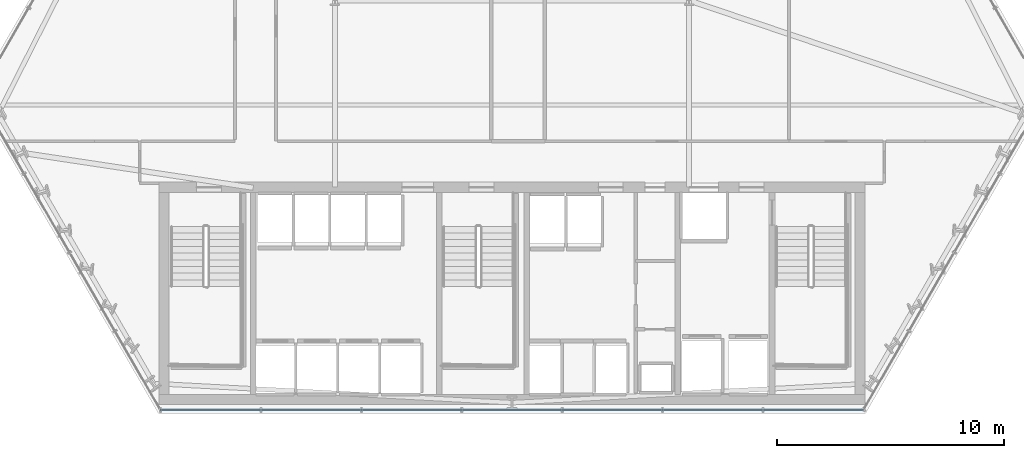
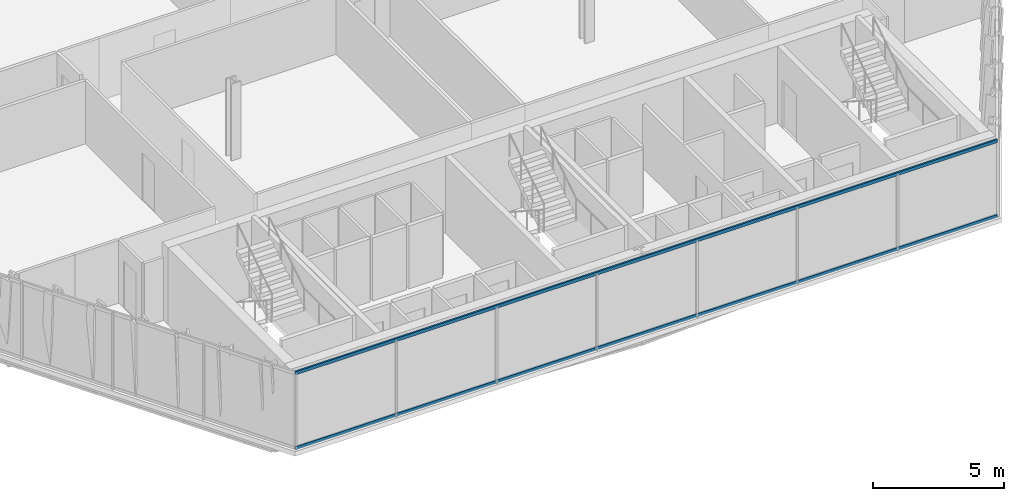
# One storey, part 7 of 32: 2 members, 1 element without a shape of its own.
"""IFC4 building model written with IfcOpenShell, lengths in metres."""

from ifc_helpers import new_model, si_unit, direction, frame, origin, origin_2d, place, context, subcontext, project, spatial, hollow_rectangle, extrude, material, layer, layer_set, material_profile, profile_set, type_object, element, aggregate, save


model = new_model("IFC4")

# Units and contexts
model_context = context("Model", 3, precision=1e-05, world=origin(), true_north=direction((0.0, 1.0)))
body_context = subcontext(model_context, "Body", "Model", "MODEL_VIEW")
ifc_project = project(units=[si_unit("LENGTHUNIT", "METRE"), si_unit("AREAUNIT", "SQUARE_METRE"), si_unit("VOLUMEUNIT", "CUBIC_METRE"), si_unit("PLANEANGLEUNIT", "RADIAN"), si_unit("MASSUNIT", "GRAM", prefix="KILO")], contexts=[model_context])

# Site, building, storey
site_placement = place(None, origin())
site = spatial("IfcSite", under=ifc_project, at=site_placement, CompositionType="ELEMENT")
building_placement = place(site_placement, origin())
building = spatial("IfcBuilding", under=site, at=building_placement, Name="Ndaravel Arena Tower", CompositionType="ELEMENT")
storey_placement = place(building_placement, frame((0.0, 0.0, 55.0)))
storey = spatial("IfcBuildingStorey", under=building, at=storey_placement, Name="L11", CompositionType="ELEMENT", Elevation=55.0)

# Curtain wall, members
ifc_material_1 = material(Name="Aluminium", Category="aluminium")
ifc_layer = layer(ifc_material_1, 0.179931640625)
ifc_layer_set = layer_set([ifc_layer], Name="Aluminium")
curtain_wall_type = type_object("IfcCurtainWallType", Name="CW-SYS-03", PredefinedType="NOTDEFINED", material=ifc_layer_set)
curtain_wall_placement = place(storey_placement, origin())
curtain_wall = element("IfcCurtainWall", 1, at=curtain_wall_placement, inside=storey, type_object=curtain_wall_type, Name="L11 Faceted Crystal Curtain Wall CW-L11-E01", PredefinedType="NOTDEFINED")
ifc_material_2 = material(Name="Aluminium", Category="aluminium")
ifc_material_profile = material_profile(ifc_material_2, hollow_rectangle(XDim=0.074951171875, YDim=0.14990234375, WallThickness=0.00390625, at=origin_2d()), Name="CW TRANSOM 75x150x4")
ifc_profile_set = profile_set([ifc_material_profile], Name="Aluminium")
member_type = type_object("IfcMemberType", Name="MEM-CW-TRN150", PredefinedType="USERDEFINED", material=ifc_profile_set)
member_1_placement = place(storey_placement, frame((26.52001953125, 5.159912109375, 0.0400390625), z_axis=(1.0, 0.0, 0.0), x_axis=(0.0, 1.0, 0.0)))
member_1 = element("IfcMember", 2, at=member_1_placement, type_object=member_type, Name="CW-L11-E01 Transom 01", ObjectType="TRANSOM", PredefinedType="USERDEFINED", context=body_context, shape_type="SweptSolid", body=[
    extrude(hollow_rectangle(XDim=0.074951171875, YDim=0.14990234375, WallThickness=0.00390625, at=origin_2d()), origin(), (0.0, 0.0, 1.0), 30.9599609375),
])
member_2_placement = place(storey_placement, frame((26.52001953125, 5.159912109375, 3.5400390625), z_axis=(1.0, 0.0, 0.0), x_axis=(0.0, 1.0, 0.0)))
member_2 = element("IfcMember", 3, at=member_2_placement, type_object=member_type, Name="CW-L11-E01 Transom 02", ObjectType="TRANSOM", PredefinedType="USERDEFINED", context=body_context, shape_type="SweptSolid", body=[
    extrude(hollow_rectangle(XDim=0.074951171875, YDim=0.14990234375, WallThickness=0.00390625, at=origin_2d()), origin(), (0.0, 0.0, 1.0), 30.9599609375),
])
aggregate(curtain_wall, [member_1, member_2])

save(model, "model.ifc")
